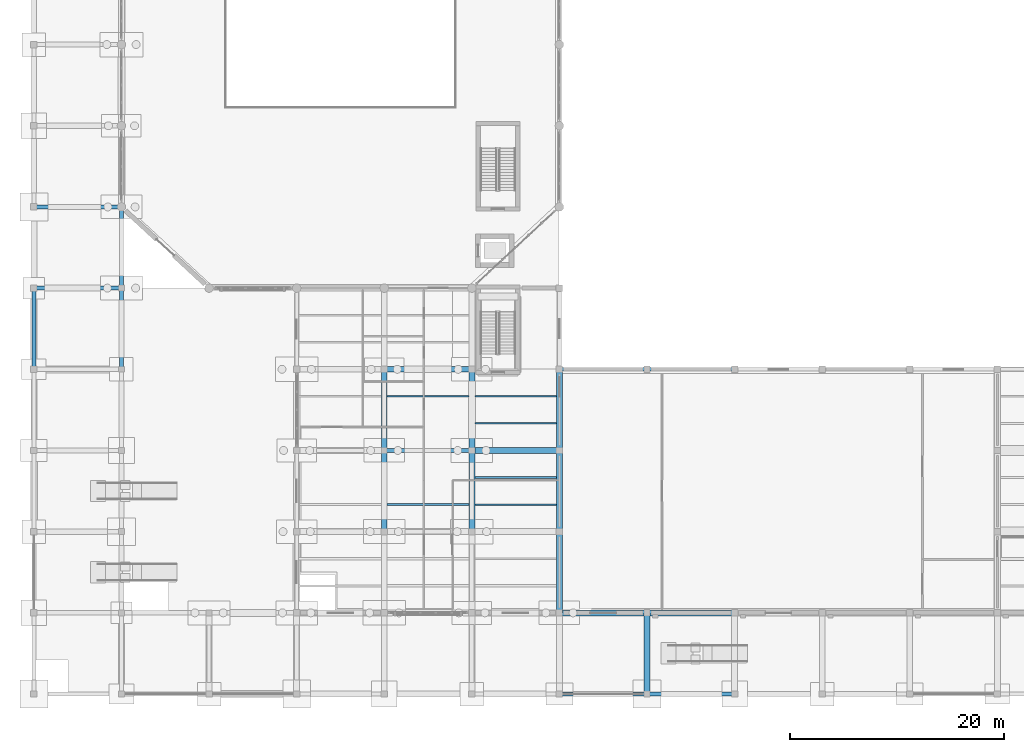
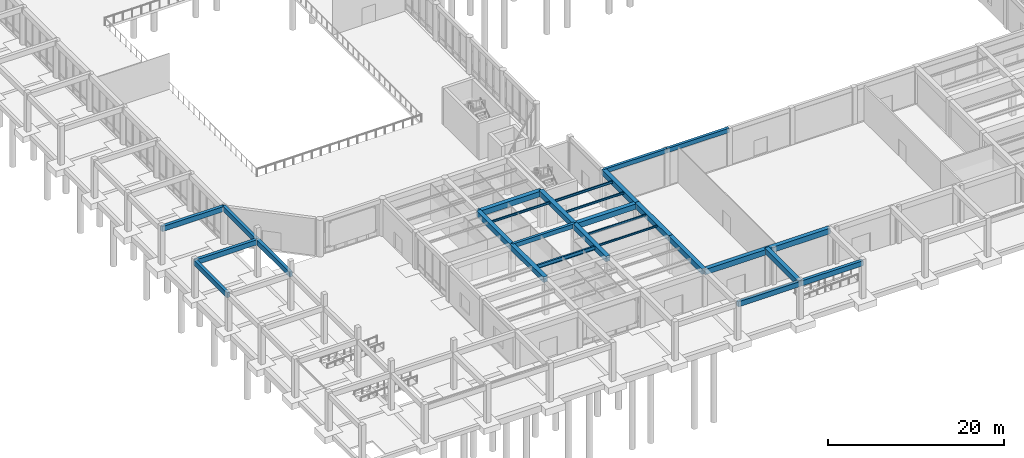
# One storey, part 13 of 64: 28 beams.
"""IFC4 building model written with IfcOpenShell, lengths in metres."""

from ifc_helpers import new_model, si_unit, direction, frame, origin, origin_2d, place, context, subcontext, project, spatial, rectangle, i_section, extrude, material, material_profile, profile_set, type_object, element, save


model = new_model("IFC4")

# Units and contexts
model_context = context("Model", 3, precision=1e-05, world=origin(), true_north=direction((0.0, 1.0)))
body_context = subcontext(model_context, "Body", "Model", "MODEL_VIEW")
ifc_project = project(units=[si_unit("LENGTHUNIT", "METRE"), si_unit("AREAUNIT", "SQUARE_METRE"), si_unit("VOLUMEUNIT", "CUBIC_METRE"), si_unit("PLANEANGLEUNIT", "RADIAN"), si_unit("MASSUNIT", "GRAM", prefix="KILO")], contexts=[model_context])

# Site, building, storey
site_placement = place(None, origin())
site = spatial("IfcSite", under=ifc_project, at=site_placement, CompositionType="ELEMENT")
building_placement = place(site_placement, origin())
building = spatial("IfcBuilding", under=site, at=building_placement, Name="Qandaris Square Conservatory and Botanical Centre", CompositionType="ELEMENT")
storey_placement = place(building_placement, origin())
storey = spatial("IfcBuildingStorey", under=building, at=storey_placement, Name="L00", CompositionType="ELEMENT", Elevation=0.0)

# Beams
ifc_material_1 = material(Name="Steel S355", Category="steel")
ifc_material_profile_1 = material_profile(ifc_material_1, i_section(OverallWidth=0.14990234375, OverallDepth=0.300048828125, WebThickness=0.007080078125, FlangeThickness=0.0107421875, FilletRadius=0.014892578125, at=origin_2d()), Name="IPE 300")
ifc_profile_set_1 = profile_set([ifc_material_profile_1], Name="Steel S355")
beam_type_1 = type_object("IfcBeamType", Name="Composite Lab Joist IPE 300", PredefinedType="JOIST", material=ifc_profile_set_1)
for number, where, z_axis, x_axis, name in (
    (1, (41.074951171875, 36.86669921875, 4.93994140625), (1.0, 0.0, 0.0), (0.0, 1.0, 0.0), "L00 Composite Joist 0708"),
    (2, (49.27490234375, 29.2666015625, 4.93994140625), (1.0, 0.0, 0.0), (0.0, 1.0, 0.0), "L00 Composite Joist 0714"),
    (3, (49.27490234375, 34.333251953125, 4.93994140625), (1.0, 0.0, 0.0), (0.0, 1.0, 0.0), "L00 Composite Joist 0715"),
):
    element("IfcBeam", number, at=place(storey_placement, frame(where, z_axis=z_axis, x_axis=x_axis)), inside=storey, type_object=beam_type_1, Name=name, PredefinedType="JOIST", context=body_context, shape_type="SweptSolid", body=[
        extrude(i_section(OverallWidth=0.14990234375, OverallDepth=0.300048828125, WebThickness=0.007080078125, FlangeThickness=0.0107421875, FilletRadius=0.014892578125, at=origin_2d()), origin(), (0.0, 0.0, 1.0), 7.650146484375),
    ])
ifc_material_profile_2 = material_profile(ifc_material_1, i_section(OverallWidth=0.159912109375, OverallDepth=0.330078125, WebThickness=0.007568359375, FlangeThickness=0.011474609375, FilletRadius=0.01806640625, at=origin_2d()), Name="IPE 330")
ifc_profile_set_2 = profile_set([ifc_material_profile_2], Name="Steel S355")
beam_type_2 = type_object("IfcBeamType", Name="Composite Lab Joist IPE 330", PredefinedType="JOIST", material=ifc_profile_set_2)
beam_1_placement = place(storey_placement, frame((49.27490234375, 36.86669921875, 4.925048828125), z_axis=(1.0, 0.0, 0.0), x_axis=(0.0, 1.0, 0.0)))
element("IfcBeam", 4, at=beam_1_placement, inside=storey, type_object=beam_type_2, Name="L00 Composite Joist 0716", PredefinedType="JOIST", context=body_context, shape_type="SweptSolid", body=[
    extrude(i_section(OverallWidth=0.159912109375, OverallDepth=0.330078125, WebThickness=0.007568359375, FlangeThickness=0.011474609375, FilletRadius=0.01806640625, at=origin_2d()), origin(), (0.0, 0.0, 1.0), 7.650146484375),
])
ifc_material_profile_3 = material_profile(ifc_material_1, i_section(OverallWidth=0.2099609375, OverallDepth=0.550048828125, WebThickness=0.010986328125, FlangeThickness=0.01708984375, FilletRadius=0.02392578125, at=origin_2d()), Name="IPE 550")
ifc_profile_set_3 = profile_set([ifc_material_profile_3], Name="Steel S355")
beam_type_3 = type_object("IfcBeamType", Name="Long-Span Foyer Joist IPE 550", PredefinedType="JOIST", material=ifc_profile_set_3)
beam_2_placement = place(storey_placement, frame((41.074951171875, 26.7333984375, 4.81494140625), z_axis=(1.0, 0.0, 0.0), x_axis=(0.0, 1.0, 0.0)))
element("IfcBeam", 5, at=beam_2_placement, inside=storey, type_object=beam_type_3, Name="L00 Composite Joist 0707", PredefinedType="JOIST", context=body_context, shape_type="SweptSolid", body=[
    extrude(i_section(OverallWidth=0.2099609375, OverallDepth=0.550048828125, WebThickness=0.010986328125, FlangeThickness=0.01708984375, FilletRadius=0.02392578125, at=origin_2d()), origin(), (0.0, 0.0, 1.0), 7.650146484375),
])
ifc_material_2 = material(Name="Concrete C50/60", Category="concrete")
ifc_material_profile_4 = material_profile(ifc_material_2, rectangle(XDim=0.39990234375, YDim=0.699951171875, at=origin_2d()), Name="RC-SP 400x700")
ifc_profile_set_4 = profile_set([ifc_material_profile_4], Name="Concrete C50/60")
beam_type_4 = type_object("IfcBeamType", Name="RC Colonnade Spandrel Beam 400x700", PredefinedType="SPANDREL", material=ifc_profile_set_4)
beam_3_placement = place(storey_placement, frame((57.199951171875, 9.0, 4.824951171875), z_axis=(1.0, 0.0, 0.0), x_axis=(0.0, 1.0, 0.0)))
element("IfcBeam", 6, at=beam_3_placement, inside=storey, type_object=beam_type_4, Name="L00 Frame Beam 0323", PredefinedType="SPANDREL", context=body_context, shape_type="SweptSolid", body=[
    extrude(rectangle(XDim=0.39990234375, YDim=0.699951171875, at=origin_2d()), origin(), (0.0, 0.0, 1.0), 8.199951171875),
])
beam_4_placement = place(storey_placement, frame((65.39990234375, 9.0, 4.824951171875), z_axis=(1.0, 0.0, 0.0), x_axis=(0.0, 1.0, 0.0)))
element("IfcBeam", 7, at=beam_4_placement, inside=storey, type_object=beam_type_4, Name="L00 Frame Beam 0324", PredefinedType="SPANDREL", context=body_context, shape_type="SweptSolid", body=[
    extrude(rectangle(XDim=0.39990234375, YDim=0.699951171875, at=origin_2d()), origin(), (0.0, 0.0, 1.0), 8.2001953125),
])
for number, where, z_axis, x_axis, name in (
    (8, (8.0, 47.0, 4.824951171875), (1.0, 0.0, 0.0), (0.0, 1.0, 0.0), "L00 Frame Beam 0392"),
    (9, (8.0, 54.60009765625, 4.824951171875), (1.0, 0.0, 0.0), (0.0, 1.0, 0.0), "L00 Frame Beam 0403"),
):
    element("IfcBeam", number, at=place(storey_placement, frame(where, z_axis=z_axis, x_axis=x_axis)), inside=storey, type_object=beam_type_4, Name=name, PredefinedType="SPANDREL", context=body_context, shape_type="SweptSolid", body=[
        extrude(rectangle(XDim=0.39990234375, YDim=0.699951171875, at=origin_2d()), origin(), (0.0, 0.0, 1.0), 8.199951171875),
    ])
for number, where, z_axis, x_axis, name in (
    (10, (8.0, 39.39990234375, 4.824951171875), (0.0, 1.0, 0.0), (-1.0, 0.0, 0.0), "L00 Frame Beam 0507"),
    (11, (16.199951171875, 39.39990234375, 4.824951171875), (0.0, 1.0, 0.0), (-1.0, 0.0, 0.0), "L00 Frame Beam 0519"),
    (12, (16.199951171875, 47.0, 4.824951171875), (0.0, 1.0, 0.0), (-1.0, 0.0, 0.0), "L00 Frame Beam 0520"),
):
    element("IfcBeam", number, at=place(storey_placement, frame(where, z_axis=z_axis, x_axis=x_axis)), inside=storey, type_object=beam_type_4, Name=name, PredefinedType="SPANDREL", context=body_context, shape_type="SweptSolid", body=[
        extrude(rectangle(XDim=0.39990234375, YDim=0.699951171875, at=origin_2d()), origin(), (0.0, 0.0, 1.0), 7.60009765625),
    ])
ifc_material_profile_5 = material_profile(ifc_material_2, rectangle(XDim=0.35009765625, YDim=0.60009765625, at=origin_2d()), Name="RC-SP 350x600")
ifc_profile_set_5 = profile_set([ifc_material_profile_5], Name="Concrete C50/60")
beam_type_5 = type_object("IfcBeamType", Name="RC Edge Spandrel Beam 350x600", PredefinedType="SPANDREL", material=ifc_profile_set_5)
for number, where, z_axis, x_axis, name in (
    (13, (40.800048828125, 31.800048828125, 4.800048828125), (1.0, 0.0, 0.0), (0.0, 1.0, 0.0), "L00 Frame Beam 0367"),
    (14, (57.199951171875, 39.39990234375, 4.800048828125), (1.0, 0.0, 0.0), (0.0, 1.0, 0.0), "L00 Frame Beam 0378"),
):
    element("IfcBeam", number, at=place(storey_placement, frame(where, z_axis=z_axis, x_axis=x_axis)), inside=storey, type_object=beam_type_5, Name=name, PredefinedType="SPANDREL", context=body_context, shape_type="SweptSolid", body=[
        extrude(rectangle(XDim=0.35009765625, YDim=0.60009765625, at=origin_2d()), origin(), (0.0, 0.0, 1.0), 8.199951171875),
    ])
beam_5_placement = place(storey_placement, frame((65.39990234375, 39.39990234375, 4.800048828125), z_axis=(1.0, 0.0, 0.0), x_axis=(0.0, 1.0, 0.0)))
element("IfcBeam", 15, at=beam_5_placement, inside=storey, type_object=beam_type_5, Name="L00 Frame Beam 0379", PredefinedType="SPANDREL", context=body_context, shape_type="SweptSolid", body=[
    extrude(rectangle(XDim=0.35009765625, YDim=0.60009765625, at=origin_2d()), origin(), (0.0, 0.0, 1.0), 8.2001953125),
])
ifc_material_profile_6 = material_profile(ifc_material_2, rectangle(XDim=0.550048828125, YDim=0.75, at=origin_2d()), Name="RC-BM 550x750")
ifc_profile_set_6 = profile_set([ifc_material_profile_6], Name="Concrete C50/60")
beam_type_6 = type_object("IfcBeamType", Name="RC Plinth Girder 550x750", PredefinedType="BEAM", material=ifc_profile_set_6)
beam_6_placement = place(storey_placement, frame((57.199951171875, 16.60009765625, 4.72509765625), z_axis=(1.0, 0.0, 0.0), x_axis=(0.0, 1.0, 0.0)))
element("IfcBeam", 16, at=beam_6_placement, inside=storey, type_object=beam_type_6, Name="L00 Frame Beam 0340", PredefinedType="BEAM", context=body_context, shape_type="SweptSolid", body=[
    extrude(rectangle(XDim=0.550048828125, YDim=0.75, at=origin_2d()), origin(), (0.0, 0.0, 1.0), 8.199951171875),
])
beam_7_placement = place(storey_placement, frame((65.39990234375, 16.60009765625, 4.72509765625), z_axis=(1.0, 0.0, 0.0), x_axis=(0.0, 1.0, 0.0)))
element("IfcBeam", 17, at=beam_7_placement, inside=storey, type_object=beam_type_6, Name="L00 Frame Beam 0341", PredefinedType="BEAM", context=body_context, shape_type="SweptSolid", body=[
    extrude(rectangle(XDim=0.550048828125, YDim=0.75, at=origin_2d()), origin(), (0.0, 0.0, 1.0), 8.2001953125),
])
for number, where, z_axis, x_axis, name in (
    (18, (49.0, 31.800048828125, 4.72509765625), (1.0, 0.0, 0.0), (0.0, 1.0, 0.0), "L00 Frame Beam 0368"),
    (19, (40.800048828125, 39.39990234375, 4.72509765625), (1.0, 0.0, 0.0), (0.0, 1.0, 0.0), "L00 Frame Beam 0377"),
):
    element("IfcBeam", number, at=place(storey_placement, frame(where, z_axis=z_axis, x_axis=x_axis)), inside=storey, type_object=beam_type_6, Name=name, PredefinedType="BEAM", context=body_context, shape_type="SweptSolid", body=[
        extrude(rectangle(XDim=0.550048828125, YDim=0.75, at=origin_2d()), origin(), (0.0, 0.0, 1.0), 8.199951171875),
    ])
beam_8_placement = place(storey_placement, frame((40.800048828125, 24.199951171875, 4.72509765625), z_axis=(0.0, 1.0, 0.0), x_axis=(-1.0, 0.0, 0.0)))
element("IfcBeam", 20, at=beam_8_placement, inside=storey, type_object=beam_type_6, Name="L00 Frame Beam 0538", PredefinedType="BEAM", context=body_context, shape_type="SweptSolid", body=[
    extrude(rectangle(XDim=0.550048828125, YDim=0.75, at=origin_2d()), origin(), (0.0, 0.0, 1.0), 7.60009765625),
])
beam_9_placement = place(storey_placement, frame((40.800048828125, 31.800048828125, 4.72509765625), z_axis=(0.0, 1.0, 0.0), x_axis=(-1.0, 0.0, 0.0)))
element("IfcBeam", 21, at=beam_9_placement, inside=storey, type_object=beam_type_6, Name="L00 Frame Beam 0539", PredefinedType="BEAM", context=body_context, shape_type="SweptSolid", body=[
    extrude(rectangle(XDim=0.550048828125, YDim=0.75, at=origin_2d()), origin(), (0.0, 0.0, 1.0), 7.599853515625),
])
beam_10_placement = place(storey_placement, frame((49.0, 24.199951171875, 4.72509765625), z_axis=(0.0, 1.0, 0.0), x_axis=(-1.0, 0.0, 0.0)))
element("IfcBeam", 22, at=beam_10_placement, inside=storey, type_object=beam_type_6, Name="L00 Frame Beam 0543", PredefinedType="BEAM", context=body_context, shape_type="SweptSolid", body=[
    extrude(rectangle(XDim=0.550048828125, YDim=0.75, at=origin_2d()), origin(), (0.0, 0.0, 1.0), 7.60009765625),
])
for number, where, z_axis, x_axis, name in (
    (23, (49.0, 31.800048828125, 4.72509765625), (0.0, 1.0, 0.0), (-1.0, 0.0, 0.0), "L00 Frame Beam 0544"),
    (24, (57.199951171875, 16.60009765625, 4.72509765625), (0.0, 1.0, 0.0), (-1.0, 0.0, 0.0), "L00 Frame Beam 0547"),
):
    element("IfcBeam", number, at=place(storey_placement, frame(where, z_axis=z_axis, x_axis=x_axis)), inside=storey, type_object=beam_type_6, Name=name, PredefinedType="BEAM", context=body_context, shape_type="SweptSolid", body=[
        extrude(rectangle(XDim=0.550048828125, YDim=0.75, at=origin_2d()), origin(), (0.0, 0.0, 1.0), 7.599853515625),
    ])
beam_11_placement = place(storey_placement, frame((57.199951171875, 24.199951171875, 4.72509765625), z_axis=(0.0, 1.0, 0.0), x_axis=(-1.0, 0.0, 0.0)))
element("IfcBeam", 25, at=beam_11_placement, inside=storey, type_object=beam_type_6, Name="L00 Frame Beam 0548", PredefinedType="BEAM", context=body_context, shape_type="SweptSolid", body=[
    extrude(rectangle(XDim=0.550048828125, YDim=0.75, at=origin_2d()), origin(), (0.0, 0.0, 1.0), 7.60009765625),
])
beam_12_placement = place(storey_placement, frame((57.199951171875, 31.800048828125, 4.72509765625), z_axis=(0.0, 1.0, 0.0), x_axis=(-1.0, 0.0, 0.0)))
element("IfcBeam", 26, at=beam_12_placement, inside=storey, type_object=beam_type_6, Name="L00 Frame Beam 0549", PredefinedType="BEAM", context=body_context, shape_type="SweptSolid", body=[
    extrude(rectangle(XDim=0.550048828125, YDim=0.75, at=origin_2d()), origin(), (0.0, 0.0, 1.0), 7.599853515625),
])
beam_13_placement = place(storey_placement, frame((65.39990234375, 9.0, 4.800048828125), z_axis=(0.0, 1.0, 0.0), x_axis=(-1.0, 0.0, 0.0)))
element("IfcBeam", 27, at=beam_13_placement, inside=storey, type_object=beam_type_6, Name="L00 Frame Beam 0559", PredefinedType="BEAM", context=body_context, shape_type="SweptSolid", body=[
    extrude(rectangle(XDim=0.550048828125, YDim=0.75, at=origin_2d()), origin(), (0.0, 0.0, 1.0), 7.60009765625),
])
ifc_material_profile_7 = material_profile(ifc_material_1, i_section(OverallWidth=0.135009765625, OverallDepth=0.27001953125, WebThickness=0.006591796875, FlangeThickness=0.01025390625, FilletRadius=0.014892578125, at=origin_2d()), Name="IPE 270")
ifc_profile_set_7 = profile_set([ifc_material_profile_7], Name="Steel S355")
beam_type_7 = type_object("IfcBeamType", Name="Steel Floor Joist IPE 270", PredefinedType="JOIST", material=ifc_profile_set_7)
beam_14_placement = place(storey_placement, frame((49.27490234375, 26.7333984375, 4.955078125), z_axis=(1.0, 0.0, 0.0), x_axis=(0.0, 1.0, 0.0)))
element("IfcBeam", 28, at=beam_14_placement, inside=storey, type_object=beam_type_7, Name="L00 Composite Joist 0713", PredefinedType="JOIST", context=body_context, shape_type="SweptSolid", body=[
    extrude(i_section(OverallWidth=0.135009765625, OverallDepth=0.27001953125, WebThickness=0.006591796875, FlangeThickness=0.01025390625, FilletRadius=0.014892578125, at=origin_2d()), origin(), (0.0, 0.0, 1.0), 7.650146484375),
])

save(model, "model.ifc")
